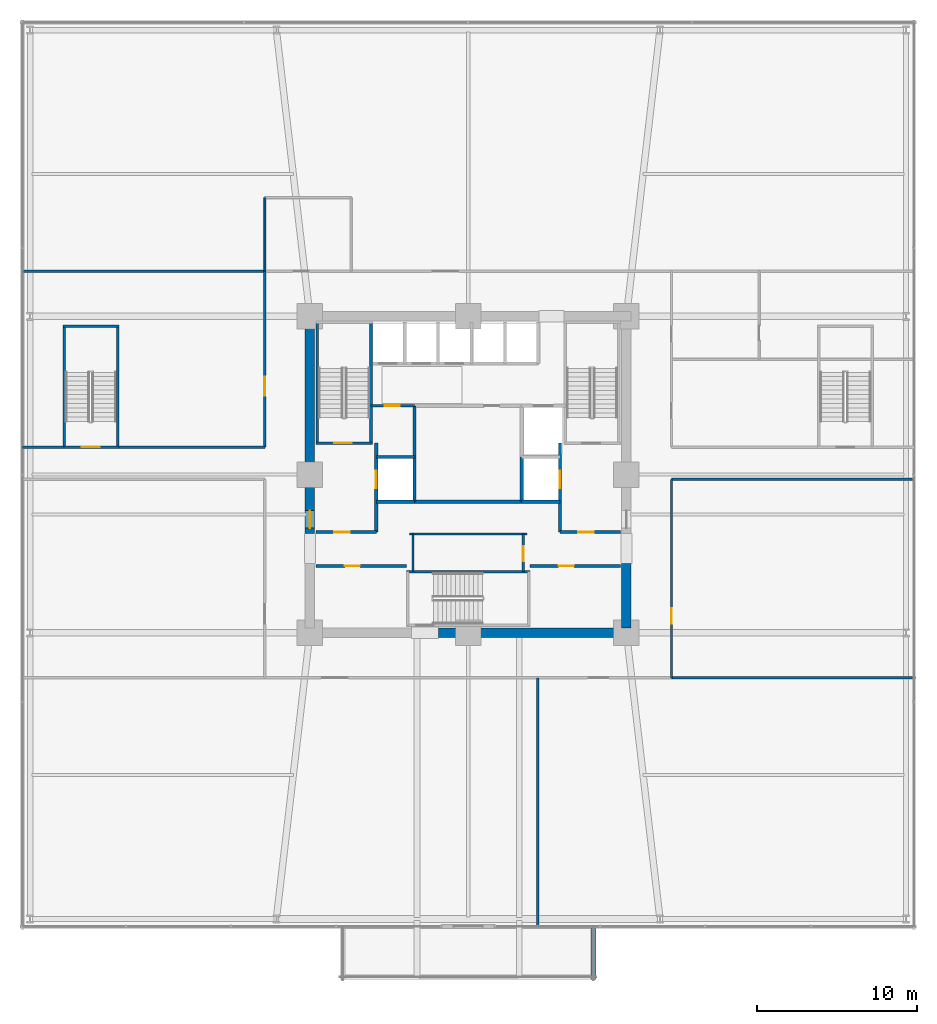
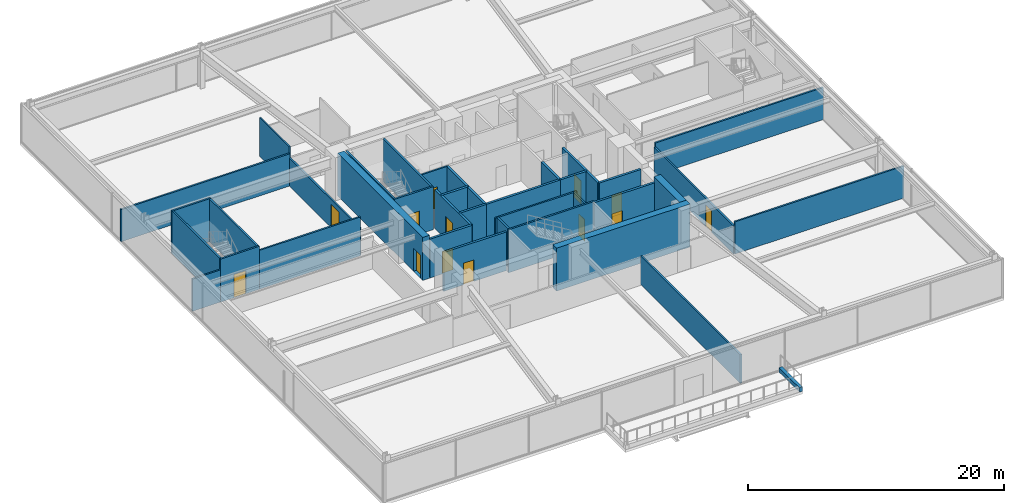
# One storey, part 34 of 39: 38 walls, 13 doors, 13 openings.
"""IFC4 building model written with IfcOpenShell, lengths in metres."""

from ifc_helpers import new_model, si_unit, direction, frame, frame_2d, origin, place, context, subcontext, project, spatial, rectangle, extrude, material, layer, layer_set, type_object, element, fill, save


model = new_model("IFC4")

# Units and contexts
model_context = context("Model", 3, precision=1e-05, world=origin(), true_north=direction((0.0, 1.0)))
body_context = subcontext(model_context, "Body", "Model", "MODEL_VIEW")
ifc_project = project(units=[si_unit("LENGTHUNIT", "METRE"), si_unit("AREAUNIT", "SQUARE_METRE"), si_unit("VOLUMEUNIT", "CUBIC_METRE"), si_unit("PLANEANGLEUNIT", "RADIAN"), si_unit("MASSUNIT", "GRAM", prefix="KILO")], contexts=[model_context])

# Site, building, storey
site_placement = place(None, origin())
site = spatial("IfcSite", under=ifc_project, at=site_placement, CompositionType="ELEMENT")
building_placement = place(site_placement, origin())
building = spatial("IfcBuilding", under=site, at=building_placement, Name="Kolvaren Belvedere", CompositionType="ELEMENT")
storey_placement = place(building_placement, frame((0.0, 0.0, 15.199951171875)))
storey = spatial("IfcBuildingStorey", under=building, at=storey_placement, Name="L04", CompositionType="ELEMENT", Elevation=15.199951171875)

# Walls
ifc_material_1 = material(Name="Concrete C60/75", Category="concrete")
ifc_layer_1 = layer(ifc_material_1, 0.60009765625)
ifc_layer_set_1 = layer_set([ifc_layer_1], Name="Concrete C60/75")
wall_type_1 = type_object("IfcWallType", Name="CW-CORE-600", PredefinedType="SHEAR", material=ifc_layer_set_1)
wall_1_placement = place(storey_placement, frame((10.199951171875, -9.89990234375, 0.0), z_axis=(0.0, 0.0, 1.0), x_axis=(-1.0, 0.0, 0.0)))
element("IfcWall", 1, at=wall_1_placement, inside=storey, type_object=wall_type_1, Name="L04 South Core Shear Wall 1", PredefinedType="SHEAR", context=body_context, shape_type="SweptSolid", body=[
    extrude(rectangle(XDim=12.06005859375, YDim=0.60009765625, at=frame_2d((6.030029296875, 0.0))), origin(), (0.0, 0.0, 1.0), 4.10009765625),
])
wall_2_placement = place(storey_placement, frame((9.89990234375, -9.60009765625, 0.0), z_axis=(0.0, 0.0, 1.0), x_axis=(0.0, 1.0, 0.0)))
element("IfcWall", 2, at=wall_2_placement, inside=storey, type_object=wall_type_1, Name="L04 East Core Shear Wall 1", PredefinedType="SHEAR", context=body_context, shape_type="SweptSolid", body=[
    extrude(rectangle(XDim=4.050048828125, YDim=0.60009765625, at=frame_2d((2.02490234375, 0.0))), origin(), (0.0, 0.0, 1.0), 4.10009765625),
])

# Wall, opening, door
wall_3_placement = place(storey_placement, frame((-9.89990234375, -3.699951171875, 0.0), z_axis=(0.0, 0.0, 1.0), x_axis=(0.0, 1.0, 0.0)))
wall_3 = element("IfcWall", 3, at=wall_3_placement, inside=storey, type_object=wall_type_1, Name="L04 West Core Shear Wall 2", PredefinedType="SHEAR", context=body_context, shape_type="SweptSolid", body=[
    extrude(rectangle(XDim=13.300048828125, YDim=0.60009765625, at=frame_2d((6.64990234375, 0.0))), origin(), (0.0, 0.0, 1.0), 4.10009765625),
])
opening_1_placement = place(wall_3_placement, frame((0.35009765625, 0.0, 0.0)))
opening_1 = element("IfcOpeningElement", 4, at=opening_1_placement, cuts=wall_3, Name="Opening D-FD90", PredefinedType="OPENING", context=body_context, shape_type="SweptSolid", body=[
    extrude(rectangle(XDim=1.10009765625, YDim=2.199951171875, at=frame_2d((0.550048828125, 1.10009765625))), frame((0.0, 0.31005859375, 0.0), z_axis=(0.0, -1.0, 0.0), x_axis=(1.0, 0.0, 0.0)), (0.0, 0.0, 1.0), 0.6201171875),
])
ifc_material_2 = material(Name="Painted hollow stainless steel", Category="steel")
door_type_1 = type_object("IfcDoorType", Name="DR-FD90-1100", OperationType="NOTDEFINED", PredefinedType="DOOR", material=ifc_material_2)
door_1_placement = place(opening_1_placement, origin())
door_1 = element("IfcDoor", 5, at=door_1_placement, inside=storey, type_object=door_type_1, Name="L04 West Firefighting Lobby Fire Door", OperationType="SINGLE_SWING_LEFT", OverallHeight=2.199951171875, OverallWidth=1.10009765625, PredefinedType="DOOR", context=body_context, shape_type="SweptSolid", body=[
    extrude(rectangle(XDim=1.10009765625, YDim=2.199951171875, at=frame_2d((0.550048828125, 1.10009765625))), frame((0.0, 0.02490234375, 0.0), z_axis=(0.0, -1.0, 0.0), x_axis=(1.0, 0.0, 0.0)), (0.0, 0.0, 1.0), 0.050048828125),
])
fill(opening_1, door_1)

ifc_material_3 = material(Name="Concrete C50/60", Category="concrete")
ifc_layer_2 = layer(ifc_material_3, 0.159912109375)
ifc_layer_set_2 = layer_set([ifc_layer_2], Name="Concrete C50/60")
wall_type_2 = type_object("IfcWallType", Name="CW-STAIR-160", PredefinedType="SHEAR", material=ifc_layer_set_2)
wall_4_placement = place(storey_placement, frame((-9.52001953125, 1.969970703125, 0.0), z_axis=(0.0, 0.0, 1.0), x_axis=(1.0, 0.0, 0.0)))
wall_4 = element("IfcWall", 6, at=wall_4_placement, inside=storey, type_object=wall_type_2, Name="L04 Stair ST-1 South Shear Wall", PredefinedType="SHEAR", context=body_context, shape_type="SweptSolid", body=[
    extrude(rectangle(XDim=3.52001953125, YDim=0.159912109375, at=frame_2d((1.760009765625, 0.0))), origin(), (0.0, 0.0, 1.0), 4.10009765625),
])
opening_2_placement = place(wall_4_placement, frame((1.14990234375, 0.0, 0.0)))
opening_2 = element("IfcOpeningElement", 7, at=opening_2_placement, cuts=wall_4, Name="Opening D-FD90", PredefinedType="OPENING", context=body_context, shape_type="SweptSolid", body=[
    extrude(rectangle(XDim=1.10009765625, YDim=2.199951171875, at=frame_2d((0.550048828125, 1.10009765625))), frame((0.0, 0.08984375, 0.0), z_axis=(0.0, -1.0, 0.0), x_axis=(1.0, 0.0, 0.0)), (0.0, 0.0, 1.0), 0.179931640625),
])
door_2_placement = place(opening_2_placement, origin())
door_2 = element("IfcDoor", 8, at=door_2_placement, inside=storey, type_object=door_type_1, Name="L04 Stair ST-1 Fire Door", OperationType="SINGLE_SWING_LEFT", OverallHeight=2.199951171875, OverallWidth=1.10009765625, PredefinedType="DOOR", context=body_context, shape_type="SweptSolid", body=[
    extrude(rectangle(XDim=1.10009765625, YDim=2.199951171875, at=frame_2d((0.550048828125, 1.10009765625))), frame((0.0, 0.02490234375, 0.0), z_axis=(0.0, -1.0, 0.0), x_axis=(1.0, 0.0, 0.0)), (0.0, 0.0, 1.0), 0.050048828125),
])
fill(opening_2, door_2)

# Walls
for number, where, z_axis, x_axis, name in (
    (9, (-9.429931640625, 1.969970703125, 0.0), (0.0, 0.0, 1.0), (0.0, 1.0, 0.0), "L04 Stair ST-1 West Shear Wall"),
    (10, (-6.080078125, 1.969970703125, 0.0), (0.0, 0.0, 1.0), (0.0, 1.0, 0.0), "L04 Stair ST-1 East Shear Wall"),
):
    element("IfcWall", number, at=place(storey_placement, frame(where, z_axis=z_axis, x_axis=x_axis)), inside=storey, type_object=wall_type_2, Name=name, PredefinedType="SHEAR", context=body_context, shape_type="SweptSolid", body=[
        extrude(rectangle(XDim=7.56005859375, YDim=0.159912109375, at=frame_2d((3.780029296875, 0.0))), origin(), (0.0, 0.0, 1.0), 4.10009765625),
    ])
wall_5_placement = place(storey_placement, frame((-3.860107421875, -6.080078125, 0.0), z_axis=(0.0, 0.0, 1.0), x_axis=(1.0, 0.0, 0.0)))
element("IfcWall", 11, at=wall_5_placement, inside=storey, type_object=wall_type_2, Name="L04 Stair ST-3 North Shear Wall", PredefinedType="SHEAR", context=body_context, shape_type="SweptSolid", body=[
    extrude(rectangle(XDim=7.72021484375, YDim=0.159912109375, at=frame_2d((3.860107421875, 0.0))), origin(), (0.0, 0.0, 1.0), 4.10009765625),
])

# Wall, opening, door
wall_6_placement = place(storey_placement, frame((-25.360107421875, 1.719970703125, 0.0), z_axis=(0.0, 0.0, 1.0), x_axis=(1.0, 0.0, 0.0)))
wall_6 = element("IfcWall", 12, at=wall_6_placement, inside=storey, type_object=wall_type_2, Name="L04 Stair ST-P1 South Shear Wall", PredefinedType="SHEAR", context=body_context, shape_type="SweptSolid", body=[
    extrude(rectangle(XDim=3.510009765625, YDim=0.159912109375, at=frame_2d((1.7548828125, 0.0))), origin(), (0.0, 0.0, 1.0), 4.10009765625),
])
opening_3_placement = place(wall_6_placement, frame((1.199951171875, 0.0, 0.0)))
opening_3 = element("IfcOpeningElement", 13, at=opening_3_placement, cuts=wall_6, Name="Opening D-FD90", PredefinedType="OPENING", context=body_context, shape_type="SweptSolid", body=[
    extrude(rectangle(XDim=1.10009765625, YDim=2.199951171875, at=frame_2d((0.550048828125, 1.10009765625))), frame((0.0, 0.08984375, 0.0), z_axis=(0.0, -1.0, 0.0), x_axis=(1.0, 0.0, 0.0)), (0.0, 0.0, 1.0), 0.179931640625),
])
door_3_placement = place(opening_3_placement, origin())
door_3 = element("IfcDoor", 14, at=door_3_placement, inside=storey, type_object=door_type_1, Name="L04 Podium Stair ST-P1 Exit Door", OperationType="SINGLE_SWING_LEFT", OverallHeight=2.199951171875, OverallWidth=1.10009765625, PredefinedType="DOOR", context=body_context, shape_type="SweptSolid", body=[
    extrude(rectangle(XDim=1.10009765625, YDim=2.199951171875, at=frame_2d((0.550048828125, 1.10009765625))), frame((0.0, 0.02490234375, 0.0), z_axis=(0.0, -1.0, 0.0), x_axis=(1.0, 0.0, 0.0)), (0.0, 0.0, 1.0), 0.050048828125),
])
fill(opening_3, door_3)

# Walls
wall_7_placement = place(storey_placement, frame((-25.360107421875, 9.280029296875, 0.0), z_axis=(0.0, 0.0, 1.0), x_axis=(1.0, 0.0, 0.0)))
element("IfcWall", 15, at=wall_7_placement, inside=storey, type_object=wall_type_2, Name="L04 Stair ST-P1 North Shear Wall", PredefinedType="SHEAR", context=body_context, shape_type="SweptSolid", body=[
    extrude(rectangle(XDim=3.510009765625, YDim=0.159912109375, at=frame_2d((1.7548828125, 0.0))), origin(), (0.0, 0.0, 1.0), 4.10009765625),
])
for number, where, z_axis, x_axis, name in (
    (16, (-25.280029296875, 1.719970703125, 0.0), (0.0, 0.0, 1.0), (0.0, 1.0, 0.0), "L04 Stair ST-P1 West Shear Wall"),
    (17, (-21.929931640625, 1.719970703125, 0.0), (0.0, 0.0, 1.0), (0.0, 1.0, 0.0), "L04 Stair ST-P1 East Shear Wall"),
):
    element("IfcWall", number, at=place(storey_placement, frame(where, z_axis=z_axis, x_axis=x_axis)), inside=storey, type_object=wall_type_2, Name=name, PredefinedType="SHEAR", context=body_context, shape_type="SweptSolid", body=[
        extrude(rectangle(XDim=7.56005859375, YDim=0.159912109375, at=frame_2d((3.780029296875, 0.0))), origin(), (0.0, 0.0, 1.0), 4.10009765625),
    ])

# Wall, opening, door
ifc_material_4 = material(Name="Gypsum fire-rated partition assembly", Category="gypsum")
ifc_layer_3 = layer(ifc_material_4, 0.14990234375)
ifc_layer_set_3 = layer_set([ifc_layer_3], Name="Gypsum fire-rated partition assembly")
wall_type_3 = type_object("IfcWallType", Name="WL-CORR-150", PredefinedType="PARTITIONING", material=ifc_layer_set_3)
wall_8_placement = place(storey_placement, frame((-12.719970703125, 1.719970703125, 0.0), z_axis=(0.0, 0.0, 1.0), x_axis=(0.0, 1.0, 0.0)))
wall_8 = element("IfcWall", 18, at=wall_8_placement, inside=storey, type_object=wall_type_3, Name="L04 West Corridor Wall N", PredefinedType="PARTITIONING", context=body_context, shape_type="SweptSolid", body=[
    extrude(rectangle(XDim=11.0, YDim=0.14990234375, at=frame_2d((5.5, 0.0))), origin(), (0.0, 0.0, 1.0), 2.674072265625),
])
opening_4_placement = place(wall_8_placement, frame((3.199951171875, 0.0, 0.0)))
opening_4 = element("IfcOpeningElement", 19, at=opening_4_placement, cuts=wall_8, Name="Opening D-GL12", PredefinedType="OPENING", context=body_context, shape_type="SweptSolid", body=[
    extrude(rectangle(XDim=1.199951171875, YDim=2.199951171875, at=frame_2d((0.60009765625, 1.10009765625))), frame((0.0, 0.0849609375, 0.0), z_axis=(0.0, -1.0, 0.0), x_axis=(1.0, 0.0, 0.0)), (0.0, 0.0, 1.0), 0.169921875),
])
ifc_material_5 = material(Name="Anodised pale-metal aluminium & safety glass", Category="aluminium")
door_type_2 = type_object("IfcDoorType", Name="DR-GLAZ-1200", OperationType="DOUBLE_DOOR_SINGLE_SWING", PredefinedType="DOOR", material=ifc_material_5)
door_4_placement = place(opening_4_placement, origin())
door_4 = element("IfcDoor", 20, at=door_4_placement, inside=storey, type_object=door_type_2, Name="L04 Conference & Movement Salon Door", OperationType="DOUBLE_DOOR_SINGLE_SWING", OverallHeight=2.199951171875, OverallWidth=1.199951171875, PredefinedType="DOOR", context=body_context, shape_type="SweptSolid", body=[
    extrude(rectangle(XDim=1.199951171875, YDim=2.199951171875, at=frame_2d((0.60009765625, 1.10009765625))), frame((0.0, 0.02490234375, 0.0), z_axis=(0.0, -1.0, 0.0), x_axis=(1.0, 0.0, 0.0)), (0.0, 0.0, 1.0), 0.050048828125),
])
fill(opening_4, door_4)

wall_9_placement = place(storey_placement, frame((12.719970703125, -12.719970703125, 0.0), z_axis=(0.0, 0.0, 1.0), x_axis=(0.0, 1.0, 0.0)))
wall_9 = element("IfcWall", 21, at=wall_9_placement, inside=storey, type_object=wall_type_3, Name="L04 East Corridor Wall S", PredefinedType="PARTITIONING", context=body_context, shape_type="SweptSolid", body=[
    extrude(rectangle(XDim=12.419921875, YDim=0.14990234375, at=frame_2d((6.2099609375, 0.0))), origin(), (0.0, 0.0, 1.0), 2.674072265625),
])
opening_5_placement = place(wall_9_placement, frame((3.39990234375, 0.0, 0.0)))
opening_5 = element("IfcOpeningElement", 22, at=opening_5_placement, cuts=wall_9, Name="Opening D-FD60", PredefinedType="OPENING", context=body_context, shape_type="SweptSolid", body=[
    extrude(rectangle(XDim=0.949951171875, YDim=2.06005859375, at=frame_2d((0.47509765625, 1.030029296875))), frame((0.0, 0.0849609375, 0.0), z_axis=(0.0, -1.0, 0.0), x_axis=(1.0, 0.0, 0.0)), (0.0, 0.0, 1.0), 0.169921875),
])
ifc_material_6 = material(Name="Acoustic white-oak fire door leaf", Category="timber")
door_type_3 = type_object("IfcDoorType", Name="DR-FD60-950", OperationType="NOTDEFINED", PredefinedType="DOOR", material=ifc_material_6)
door_5_placement = place(opening_5_placement, origin())
door_5 = element("IfcDoor", 23, at=door_5_placement, inside=storey, type_object=door_type_3, Name="L04 Spa Changing & Towel Pantry Door", OperationType="SINGLE_SWING_LEFT", OverallHeight=2.06005859375, OverallWidth=0.949951171875, PredefinedType="DOOR", context=body_context, shape_type="SweptSolid", body=[
    extrude(rectangle(XDim=0.949951171875, YDim=2.06005859375, at=frame_2d((0.47509765625, 1.030029296875))), frame((0.0, 0.02490234375, 0.0), z_axis=(0.0, -1.0, 0.0), x_axis=(1.0, 0.0, 0.0)), (0.0, 0.0, 1.0), 0.050048828125),
])
fill(opening_5, door_5)

# Walls
wall_10_placement = place(storey_placement, frame((-27.8798828125, 1.719970703125, 0.0), z_axis=(0.0, 0.0, 1.0), x_axis=(1.0, 0.0, 0.0)))
element("IfcWall", 24, at=wall_10_placement, inside=storey, type_object=wall_type_3, Name="L04 West Stair Spur End Wall", PredefinedType="PARTITIONING", context=body_context, shape_type="SweptSolid", body=[
    extrude(rectangle(XDim=2.599853515625, YDim=0.14990234375, at=frame_2d((1.2998046875, 0.0))), origin(), (0.0, 0.0, 1.0), 3.069091796875),
])
wall_11_placement = place(storey_placement, frame((-21.929931640625, 1.719970703125, 0.0), z_axis=(0.0, 0.0, 1.0), x_axis=(1.0, 0.0, 0.0)))
element("IfcWall", 25, at=wall_11_placement, inside=storey, type_object=wall_type_3, Name="L04 West Stair Spur North Wall", PredefinedType="PARTITIONING", context=body_context, shape_type="SweptSolid", body=[
    extrude(rectangle(XDim=9.2099609375, YDim=0.14990234375, at=frame_2d((4.60498046875, 0.0))), origin(), (0.0, 0.0, 1.0), 3.699951171875),
])
wall_12_placement = place(storey_placement, frame((12.719970703125, -0.300048828125, 0.0), z_axis=(0.0, 0.0, 1.0), x_axis=(1.0, 0.0, 0.0)))
element("IfcWall", 26, at=wall_12_placement, inside=storey, type_object=wall_type_3, Name="L04 East Stair Spur South Wall", PredefinedType="PARTITIONING", context=body_context, shape_type="SweptSolid", body=[
    extrude(rectangle(XDim=15.159912109375, YDim=0.14990234375, at=frame_2d((7.580078125, 0.0))), origin(), (0.0, 0.0, 1.0), 3.069091796875),
])
for number, where, z_axis, x_axis, name in (
    (27, (12.719970703125, -12.719970703125, 0.0), (0.0, 0.0, 1.0), (1.0, 0.0, 0.0), "L04 Sector Wall PW-L04-QSE"),
    (28, (-27.97998046875, 12.719970703125, 0.0), (0.0, 0.0, 1.0), (1.0, 0.0, 0.0), "L04 Sector Wall PW-L04-QNW"),
):
    element("IfcWall", number, at=place(storey_placement, frame(where, z_axis=z_axis, x_axis=x_axis)), inside=storey, type_object=wall_type_3, Name=name, PredefinedType="PARTITIONING", context=body_context, shape_type="SweptSolid", body=[
        extrude(rectangle(XDim=15.260009765625, YDim=0.14990234375, at=frame_2d((7.6298828125, 0.0))), origin(), (0.0, 0.0, 1.0), 3.069091796875),
    ])
ifc_material_7 = material(Name="Gypsum acoustic partition assembly", Category="gypsum")
ifc_layer_4 = layer(ifc_material_7, 0.14990234375)
ifc_layer_set_4 = layer_set([ifc_layer_4], Name="Gypsum acoustic partition assembly")
wall_type_4 = type_object("IfcWallType", Name="WL-PART-150", PredefinedType="PARTITIONING", material=ifc_layer_set_4)
wall_13_placement = place(storey_placement, frame((-3.679931640625, -3.719970703125, 0.0), z_axis=(0.0, 0.0, 1.0), x_axis=(1.0, 0.0, 0.0)))
element("IfcWall", 29, at=wall_13_placement, inside=storey, type_object=wall_type_4, Name="L04 South Core Service North Wall", PredefinedType="PARTITIONING", context=body_context, shape_type="SweptSolid", body=[
    extrude(rectangle(XDim=7.35986328125, YDim=0.14990234375, at=frame_2d((3.679931640625, 0.0))), origin(), (0.0, 0.0, 1.0), 3.699951171875),
])

# Wall, opening, door
wall_14_placement = place(storey_placement, frame((3.449951171875, -6.080078125, 0.0), z_axis=(0.0, 0.0, 1.0), x_axis=(0.0, 1.0, 0.0)))
wall_14 = element("IfcWall", 30, at=wall_14_placement, inside=storey, type_object=wall_type_4, Name="L04 South Core Service East Wall", PredefinedType="PARTITIONING", context=body_context, shape_type="SweptSolid", body=[
    extrude(rectangle(XDim=2.360107421875, YDim=0.14990234375, at=frame_2d((1.18017578125, 0.0))), origin(), (0.0, 0.0, 1.0), 3.699951171875),
])
opening_6_placement = place(wall_14_placement, frame((0.64990234375, 0.0, 0.0)))
opening_6 = element("IfcOpeningElement", 31, at=opening_6_placement, cuts=wall_14, Name="Opening D-FD60", PredefinedType="OPENING", context=body_context, shape_type="SweptSolid", body=[
    extrude(rectangle(XDim=0.949951171875, YDim=2.06005859375, at=frame_2d((0.47509765625, 1.030029296875))), frame((0.0, 0.0849609375, 0.0), z_axis=(0.0, -1.0, 0.0), x_axis=(1.0, 0.0, 0.0)), (0.0, 0.0, 1.0), 0.169921875),
])
door_6_placement = place(opening_6_placement, origin())
door_6 = element("IfcDoor", 32, at=door_6_placement, inside=storey, type_object=door_type_3, Name="L04 Core Service Room Door", OperationType="SINGLE_SWING_LEFT", OverallHeight=2.06005859375, OverallWidth=0.949951171875, PredefinedType="DOOR", context=body_context, shape_type="SweptSolid", body=[
    extrude(rectangle(XDim=0.949951171875, YDim=2.06005859375, at=frame_2d((0.47509765625, 1.030029296875))), frame((0.0, 0.02490234375, 0.0), z_axis=(0.0, -1.0, 0.0), x_axis=(1.0, 0.0, 0.0)), (0.0, 0.0, 1.0), 0.050048828125),
])
fill(opening_6, door_6)

# Wall
wall_15_placement = place(storey_placement, frame((-3.449951171875, -6.080078125, 0.0), z_axis=(0.0, 0.0, 1.0), x_axis=(0.0, 1.0, 0.0)))
element("IfcWall", 33, at=wall_15_placement, inside=storey, type_object=wall_type_4, Name="L04 South Core Service West Wall", PredefinedType="PARTITIONING", context=body_context, shape_type="SweptSolid", body=[
    extrude(rectangle(XDim=2.360107421875, YDim=0.14990234375, at=frame_2d((1.18017578125, 0.0))), origin(), (0.0, 0.0, 1.0), 3.699951171875),
])

# Wall, opening, door
wall_16_placement = place(storey_placement, frame((-6.080078125, 4.300048828125, 0.0), z_axis=(0.0, 0.0, 1.0), x_axis=(1.0, 0.0, 0.0)))
wall_16 = element("IfcWall", 34, at=wall_16_placement, inside=storey, type_object=wall_type_4, Name="L04 NW Service Room North Wall", PredefinedType="PARTITIONING", context=body_context, shape_type="SweptSolid", body=[
    extrude(rectangle(XDim=2.72998046875, YDim=0.14990234375, at=frame_2d((1.364990234375, 0.0))), origin(), (0.0, 0.0, 1.0), 3.699951171875),
])
opening_7_placement = place(wall_16_placement, frame((0.85009765625, 0.0, 0.0)))
opening_7 = element("IfcOpeningElement", 35, at=opening_7_placement, cuts=wall_16, Name="Opening D-FD60", PredefinedType="OPENING", context=body_context, shape_type="SweptSolid", body=[
    extrude(rectangle(XDim=0.949951171875, YDim=2.06005859375, at=frame_2d((0.47509765625, 1.030029296875))), frame((0.0, 0.0849609375, 0.0), z_axis=(0.0, -1.0, 0.0), x_axis=(1.0, 0.0, 0.0)), (0.0, 0.0, 1.0), 0.169921875),
])
door_7_placement = place(opening_7_placement, origin())
door_7 = element("IfcDoor", 36, at=door_7_placement, inside=storey, type_object=door_type_3, Name="L04 NW Core Store Door", OperationType="SINGLE_SWING_RIGHT", OverallHeight=2.06005859375, OverallWidth=0.949951171875, PredefinedType="DOOR", context=body_context, shape_type="SweptSolid", body=[
    extrude(rectangle(XDim=0.949951171875, YDim=2.06005859375, at=frame_2d((0.47509765625, 1.030029296875))), frame((0.0, 0.02490234375, 0.0), z_axis=(0.0, -1.0, 0.0), x_axis=(1.0, 0.0, 0.0)), (0.0, 0.0, 1.0), 0.050048828125),
])
fill(opening_7, door_7)

# Walls
wall_17_placement = place(storey_placement, frame((4.35009765625, -28.280029296875, 0.0), z_axis=(0.0, 0.0, 1.0), x_axis=(0.0, 1.0, 0.0)))
element("IfcWall", 37, at=wall_17_placement, inside=storey, type_object=wall_type_4, Name="L04 South Salon Divider", PredefinedType="PARTITIONING", context=body_context, shape_type="SweptSolid", body=[
    extrude(rectangle(XDim=15.56005859375, YDim=0.14990234375, at=frame_2d((7.780029296875, 0.0))), origin(), (0.0, 0.0, 1.0), 2.737060546875),
])
ifc_material_8 = material(Name="Precast concrete C40/50", Category="concrete")
ifc_layer_5 = layer(ifc_material_8, 0.300048828125)
ifc_layer_set_5 = layer_set([ifc_layer_5], Name="Precast concrete C40/50")
wall_type_5 = type_object("IfcWallType", Name="WL-PLANTER-300", PredefinedType="PARAPET", material=ifc_layer_set_5)
wall_18_placement = place(storey_placement, frame((7.840087890625, -31.60009765625, -0.02001953125), z_axis=(0.0, 0.0, 1.0), x_axis=(0.0, 1.0, 0.0)))
element("IfcWall", 38, at=wall_18_placement, inside=storey, type_object=wall_type_5, Name="L04 Precast Structural Planter Wall POD-TERR-S-2", PredefinedType="PARAPET", context=body_context, shape_type="SweptSolid", body=[
    extrude(rectangle(XDim=3.2001953125, YDim=0.280029296875, at=frame_2d((1.60009765625, 0.0))), origin(), (0.0, 0.0, 1.0), 0.420166015625),
])

# Wall, opening, door
ifc_material_9 = material(Name="Concrete C50/60", Category="concrete")
ifc_layer_6 = layer(ifc_material_9, 0.199951171875)
ifc_layer_set_6 = layer_set([ifc_layer_6], Name="Concrete C50/60")
wall_type_6 = type_object("IfcWallType", Name="WL-SHAFT-200", PredefinedType="SOLIDWALL", material=ifc_layer_set_6)
wall_19_placement = place(storey_placement, frame((-9.52001953125, -3.60009765625, 0.0), z_axis=(0.0, 0.0, 1.0), x_axis=(1.0, 0.0, 0.0)))
wall_19 = element("IfcWall", 39, at=wall_19_placement, inside=storey, type_object=wall_type_6, Name="L04 West FSAE Lobby South Wall", PredefinedType="SOLIDWALL", context=body_context, shape_type="SweptSolid", body=[
    extrude(rectangle(XDim=3.77001953125, YDim=0.199951171875, at=frame_2d((1.885009765625, 0.0))), origin(), (0.0, 0.0, 1.0), 3.699951171875),
])
opening_8_placement = place(wall_19_placement, frame((1.14990234375, 0.0, 0.0)))
opening_8 = element("IfcOpeningElement", 40, at=opening_8_placement, cuts=wall_19, Name="Opening D-FD60", PredefinedType="OPENING", context=body_context, shape_type="SweptSolid", body=[
    extrude(rectangle(XDim=0.949951171875, YDim=2.06005859375, at=frame_2d((0.47509765625, 1.030029296875))), frame((0.0, 0.10986328125, 0.0), z_axis=(0.0, -1.0, 0.0), x_axis=(1.0, 0.0, 0.0)), (0.0, 0.0, 1.0), 0.219970703125),
])
door_8_placement = place(opening_8_placement, origin())
door_8 = element("IfcDoor", 41, at=door_8_placement, inside=storey, type_object=door_type_3, Name="L04 SW Lift Lobby Fire Door", OperationType="SINGLE_SWING_LEFT", OverallHeight=2.06005859375, OverallWidth=0.949951171875, PredefinedType="DOOR", context=body_context, shape_type="SweptSolid", body=[
    extrude(rectangle(XDim=0.949951171875, YDim=2.06005859375, at=frame_2d((0.47509765625, 1.030029296875))), frame((0.0, 0.02490234375, 0.0), z_axis=(0.0, -1.0, 0.0), x_axis=(1.0, 0.0, 0.0)), (0.0, 0.0, 1.0), 0.050048828125),
])
fill(opening_8, door_8)

wall_20_placement = place(storey_placement, frame((-5.75, -3.60009765625, 0.0), z_axis=(0.0, 0.0, 1.0), x_axis=(0.0, 1.0, 0.0)))
wall_20 = element("IfcWall", 42, at=wall_20_placement, inside=storey, type_object=wall_type_6, Name="L04 FSAE FS1 Landing Wall", PredefinedType="SOLIDWALL", context=body_context, shape_type="SweptSolid", body=[
    extrude(rectangle(XDim=5.570068359375, YDim=0.199951171875, at=frame_2d((2.78515625, 0.0))), origin(), (0.0, 0.0, 1.0), 3.699951171875),
])
opening_9_placement = place(wall_20_placement, frame((2.75, 0.0, 0.0)))
opening_9 = element("IfcOpeningElement", 43, at=opening_9_placement, cuts=wall_20, Name="Opening LD-11", PredefinedType="OPENING", context=body_context, shape_type="SweptSolid", body=[
    extrude(rectangle(XDim=1.10009765625, YDim=2.199951171875, at=frame_2d((0.550048828125, 1.10009765625))), frame((0.0, 0.10986328125, 0.0), z_axis=(0.0, -1.0, 0.0), x_axis=(1.0, 0.0, 0.0)), (0.0, 0.0, 1.0), 0.219970703125),
])
ifc_material_10 = material(Name="Brushed stainless steel", Category="steel")
door_type_4 = type_object("IfcDoorType", Name="DR-LIFT-1100", OperationType="DOUBLE_DOOR_SLIDING", PredefinedType="DOOR", material=ifc_material_10)
door_9_placement = place(opening_9_placement, origin())
door_9 = element("IfcDoor", 44, at=door_9_placement, inside=storey, type_object=door_type_4, Name="L04 Firefighting Lift FS1 Landing Door", OperationType="DOUBLE_DOOR_SLIDING", OverallHeight=2.199951171875, OverallWidth=1.10009765625, PredefinedType="DOOR", context=body_context, shape_type="SweptSolid", body=[
    extrude(rectangle(XDim=1.10009765625, YDim=2.199951171875, at=frame_2d((0.550048828125, 1.10009765625))), frame((0.0, 0.02490234375, 0.0), z_axis=(0.0, -1.0, 0.0), x_axis=(1.0, 0.0, 0.0)), (0.0, 0.0, 1.0), 0.050048828125),
])
fill(opening_9, door_9)

# Walls
wall_21_placement = place(storey_placement, frame((-3.35009765625, -1.699951171875, 0.0), z_axis=(0.0, 0.0, 1.0), x_axis=(0.0, 1.0, 0.0)))
element("IfcWall", 45, at=wall_21_placement, inside=storey, type_object=wall_type_6, Name="L04 FSAE FS1 Back Wall", PredefinedType="SOLIDWALL", context=body_context, shape_type="SweptSolid", body=[
    extrude(rectangle(XDim=2.800048828125, YDim=0.199951171875, at=frame_2d((1.39990234375, 0.0))), origin(), (0.0, 0.0, 1.0), 3.699951171875),
])
for number, where, z_axis, x_axis, name in (
    (46, (-5.75, -1.699951171875, 0.0), (0.0, 0.0, 1.0), (1.0, 0.0, 0.0), "L04 FSAE FS1 South Wall"),
    (47, (-5.75, 1.10009765625, 0.0), (0.0, 0.0, 1.0), (1.0, 0.0, 0.0), "L04 FSAE FS1 North Wall"),
):
    element("IfcWall", number, at=place(storey_placement, frame(where, z_axis=z_axis, x_axis=x_axis)), inside=storey, type_object=wall_type_6, Name=name, PredefinedType="SOLIDWALL", context=body_context, shape_type="SweptSolid", body=[
        extrude(rectangle(XDim=2.39990234375, YDim=0.199951171875, at=frame_2d((1.199951171875, 0.0))), origin(), (0.0, 0.0, 1.0), 3.699951171875),
    ])

# Wall, opening, door
wall_22_placement = place(storey_placement, frame((5.75, -3.60009765625, 0.0), z_axis=(0.0, 0.0, 1.0), x_axis=(1.0, 0.0, 0.0)))
wall_22 = element("IfcWall", 48, at=wall_22_placement, inside=storey, type_object=wall_type_6, Name="L04 East FSAE Lobby South Wall", PredefinedType="SOLIDWALL", context=body_context, shape_type="SweptSolid", body=[
    extrude(rectangle(XDim=3.77001953125, YDim=0.199951171875, at=frame_2d((1.885009765625, 0.0))), origin(), (0.0, 0.0, 1.0), 3.699951171875),
])
opening_10_placement = place(wall_22_placement, frame((1.14990234375, 0.0, 0.0)))
opening_10 = element("IfcOpeningElement", 49, at=opening_10_placement, cuts=wall_22, Name="Opening D-FD60", PredefinedType="OPENING", context=body_context, shape_type="SweptSolid", body=[
    extrude(rectangle(XDim=0.949951171875, YDim=2.06005859375, at=frame_2d((0.47509765625, 1.030029296875))), frame((0.0, 0.10986328125, 0.0), z_axis=(0.0, -1.0, 0.0), x_axis=(1.0, 0.0, 0.0)), (0.0, 0.0, 1.0), 0.219970703125),
])
door_10_placement = place(opening_10_placement, origin())
door_10 = element("IfcDoor", 50, at=door_10_placement, inside=storey, type_object=door_type_3, Name="L04 SE Lift Lobby Fire Door", OperationType="SINGLE_SWING_RIGHT", OverallHeight=2.06005859375, OverallWidth=0.949951171875, PredefinedType="DOOR", context=body_context, shape_type="SweptSolid", body=[
    extrude(rectangle(XDim=0.949951171875, YDim=2.06005859375, at=frame_2d((0.47509765625, 1.030029296875))), frame((0.0, 0.02490234375, 0.0), z_axis=(0.0, -1.0, 0.0), x_axis=(1.0, 0.0, 0.0)), (0.0, 0.0, 1.0), 0.050048828125),
])
fill(opening_10, door_10)

wall_23_placement = place(storey_placement, frame((5.75, -3.60009765625, 0.0), z_axis=(0.0, 0.0, 1.0), x_axis=(0.0, 1.0, 0.0)))
wall_23 = element("IfcWall", 51, at=wall_23_placement, inside=storey, type_object=wall_type_6, Name="L04 FSAE FS2 Landing Wall", PredefinedType="SOLIDWALL", context=body_context, shape_type="SweptSolid", body=[
    extrude(rectangle(XDim=5.570068359375, YDim=0.199951171875, at=frame_2d((2.78515625, 0.0))), origin(), (0.0, 0.0, 1.0), 3.699951171875),
])
opening_11_placement = place(wall_23_placement, frame((2.75, 0.0, 0.0)))
opening_11 = element("IfcOpeningElement", 52, at=opening_11_placement, cuts=wall_23, Name="Opening LD-11", PredefinedType="OPENING", context=body_context, shape_type="SweptSolid", body=[
    extrude(rectangle(XDim=1.10009765625, YDim=2.199951171875, at=frame_2d((0.550048828125, 1.10009765625))), frame((0.0, 0.10986328125, 0.0), z_axis=(0.0, -1.0, 0.0), x_axis=(1.0, 0.0, 0.0)), (0.0, 0.0, 1.0), 0.219970703125),
])
door_11_placement = place(opening_11_placement, origin())
door_11 = element("IfcDoor", 53, at=door_11_placement, inside=storey, type_object=door_type_4, Name="L04 Firefighting Lift FS2 Landing Door", OperationType="DOUBLE_DOOR_SLIDING", OverallHeight=2.199951171875, OverallWidth=1.10009765625, PredefinedType="DOOR", context=body_context, shape_type="SweptSolid", body=[
    extrude(rectangle(XDim=1.10009765625, YDim=2.199951171875, at=frame_2d((0.550048828125, 1.10009765625))), frame((0.0, 0.02490234375, 0.0), z_axis=(0.0, -1.0, 0.0), x_axis=(1.0, 0.0, 0.0)), (0.0, 0.0, 1.0), 0.050048828125),
])
fill(opening_11, door_11)

# Walls
wall_24_placement = place(storey_placement, frame((3.35009765625, -1.699951171875, 0.0), z_axis=(0.0, 0.0, 1.0), x_axis=(0.0, 1.0, 0.0)))
element("IfcWall", 54, at=wall_24_placement, inside=storey, type_object=wall_type_6, Name="L04 FSAE FS2 Back Wall", PredefinedType="SOLIDWALL", context=body_context, shape_type="SweptSolid", body=[
    extrude(rectangle(XDim=2.800048828125, YDim=0.199951171875, at=frame_2d((1.39990234375, 0.0))), origin(), (0.0, 0.0, 1.0), 3.699951171875),
])
wall_25_placement = place(storey_placement, frame((3.35009765625, -1.699951171875, 0.0), z_axis=(0.0, 0.0, 1.0), x_axis=(1.0, 0.0, 0.0)))
element("IfcWall", 55, at=wall_25_placement, inside=storey, type_object=wall_type_6, Name="L04 FSAE FS2 South Wall", PredefinedType="SOLIDWALL", context=body_context, shape_type="SweptSolid", body=[
    extrude(rectangle(XDim=2.39990234375, YDim=0.199951171875, at=frame_2d((1.199951171875, 0.0))), origin(), (0.0, 0.0, 1.0), 3.699951171875),
])

# Wall, opening, door
wall_26_placement = place(storey_placement, frame((-9.52001953125, -5.719970703125, 0.0), z_axis=(0.0, 0.0, 1.0), x_axis=(1.0, 0.0, 0.0)))
wall_26 = element("IfcWall", 56, at=wall_26_placement, inside=storey, type_object=wall_type_6, Name="L04 SW Core Reserve Wall", PredefinedType="SOLIDWALL", context=body_context, shape_type="SweptSolid", body=[
    extrude(rectangle(XDim=5.659912109375, YDim=0.199951171875, at=frame_2d((2.830078125, 0.0))), origin(), (0.0, 0.0, 1.0), 3.699951171875),
])
opening_12_placement = place(wall_26_placement, frame((1.800048828125, 0.0, 0.0)))
opening_12 = element("IfcOpeningElement", 57, at=opening_12_placement, cuts=wall_26, Name="Opening D-FD60", PredefinedType="OPENING", context=body_context, shape_type="SweptSolid", body=[
    extrude(rectangle(XDim=0.949951171875, YDim=2.06005859375, at=frame_2d((0.47509765625, 1.030029296875))), frame((0.0, 0.10986328125, 0.0), z_axis=(0.0, -1.0, 0.0), x_axis=(1.0, 0.0, 0.0)), (0.0, 0.0, 1.0), 0.219970703125),
])
door_12_placement = place(opening_12_placement, origin())
door_12 = element("IfcDoor", 58, at=door_12_placement, inside=storey, type_object=door_type_3, Name="L04 SW Core Room Door", OperationType="SINGLE_SWING_LEFT", OverallHeight=2.06005859375, OverallWidth=0.949951171875, PredefinedType="DOOR", context=body_context, shape_type="SweptSolid", body=[
    extrude(rectangle(XDim=0.949951171875, YDim=2.06005859375, at=frame_2d((0.47509765625, 1.030029296875))), frame((0.0, 0.02490234375, 0.0), z_axis=(0.0, -1.0, 0.0), x_axis=(1.0, 0.0, 0.0)), (0.0, 0.0, 1.0), 0.050048828125),
])
fill(opening_12, door_12)

wall_27_placement = place(storey_placement, frame((3.860107421875, -5.719970703125, 0.0), z_axis=(0.0, 0.0, 1.0), x_axis=(1.0, 0.0, 0.0)))
wall_27 = element("IfcWall", 59, at=wall_27_placement, inside=storey, type_object=wall_type_6, Name="L04 SE Core Distribution Wall", PredefinedType="SOLIDWALL", context=body_context, shape_type="SweptSolid", body=[
    extrude(rectangle(XDim=5.659912109375, YDim=0.199951171875, at=frame_2d((2.830078125, 0.0))), origin(), (0.0, 0.0, 1.0), 3.699951171875),
])
opening_13_placement = place(wall_27_placement, frame((1.800048828125, 0.0, 0.0)))
opening_13 = element("IfcOpeningElement", 60, at=opening_13_placement, cuts=wall_27, Name="Opening D-FD60", PredefinedType="OPENING", context=body_context, shape_type="SweptSolid", body=[
    extrude(rectangle(XDim=0.949951171875, YDim=2.06005859375, at=frame_2d((0.47509765625, 1.030029296875))), frame((0.0, 0.10986328125, 0.0), z_axis=(0.0, -1.0, 0.0), x_axis=(1.0, 0.0, 0.0)), (0.0, 0.0, 1.0), 0.219970703125),
])
door_13_placement = place(opening_13_placement, origin())
door_13 = element("IfcDoor", 61, at=door_13_placement, inside=storey, type_object=door_type_3, Name="L04 Core Electrical & BMS Room Door", OperationType="SINGLE_SWING_RIGHT", OverallHeight=2.06005859375, OverallWidth=0.949951171875, PredefinedType="DOOR", context=body_context, shape_type="SweptSolid", body=[
    extrude(rectangle(XDim=0.949951171875, YDim=2.06005859375, at=frame_2d((0.47509765625, 1.030029296875))), frame((0.0, 0.02490234375, 0.0), z_axis=(0.0, -1.0, 0.0), x_axis=(1.0, 0.0, 0.0)), (0.0, 0.0, 1.0), 0.050048828125),
])
fill(opening_13, door_13)

# Walls
wall_28_placement = place(storey_placement, frame((-3.35009765625, -1.699951171875, 0.0), z_axis=(0.0, 0.0, 1.0), x_axis=(1.0, 0.0, 0.0)))
element("IfcWall", 62, at=wall_28_placement, inside=storey, type_object=wall_type_6, Name="L04 Central Core Room South Wall", PredefinedType="SOLIDWALL", context=body_context, shape_type="SweptSolid", body=[
    extrude(rectangle(XDim=6.7001953125, YDim=0.199951171875, at=frame_2d((3.35009765625, 0.0))), origin(), (0.0, 0.0, 1.0), 3.699951171875),
])
wall_29_placement = place(storey_placement, frame((-3.35009765625, 1.10009765625, 0.0), z_axis=(0.0, 0.0, 1.0), x_axis=(0.0, 1.0, 0.0)))
element("IfcWall", 63, at=wall_29_placement, inside=storey, type_object=wall_type_6, Name="L04 Central Core Room West Wall", PredefinedType="SOLIDWALL", context=body_context, shape_type="SweptSolid", body=[
    extrude(rectangle(XDim=3.199951171875, YDim=0.199951171875, at=frame_2d((1.60009765625, 0.0))), origin(), (0.0, 0.0, 1.0), 3.699951171875),
])
ifc_material_11 = material(Name="Moisture-resistant gypsum partition", Category="gypsum")
ifc_layer_7 = layer(ifc_material_11, 0.125)
ifc_layer_set_7 = layer_set([ifc_layer_7], Name="Moisture-resistant gypsum partition")
wall_type_7 = type_object("IfcWallType", Name="WL-WET-125", PredefinedType="PARTITIONING", material=ifc_layer_set_7)
wall_30_placement = place(storey_placement, frame((-12.719970703125, 12.719970703125, 0.0), z_axis=(0.0, 0.0, 1.0), x_axis=(0.0, 1.0, 0.0)))
element("IfcWall", 64, at=wall_30_placement, inside=storey, type_object=wall_type_7, Name="L04 Accessible WC West Wall", PredefinedType="PARTITIONING", context=body_context, shape_type="SweptSolid", body=[
    extrude(rectangle(XDim=4.60009765625, YDim=0.125, at=frame_2d((2.300048828125, 0.0))), origin(), (0.0, 0.0, 1.0), 3.699951171875),
])

save(model, "model.ifc")
